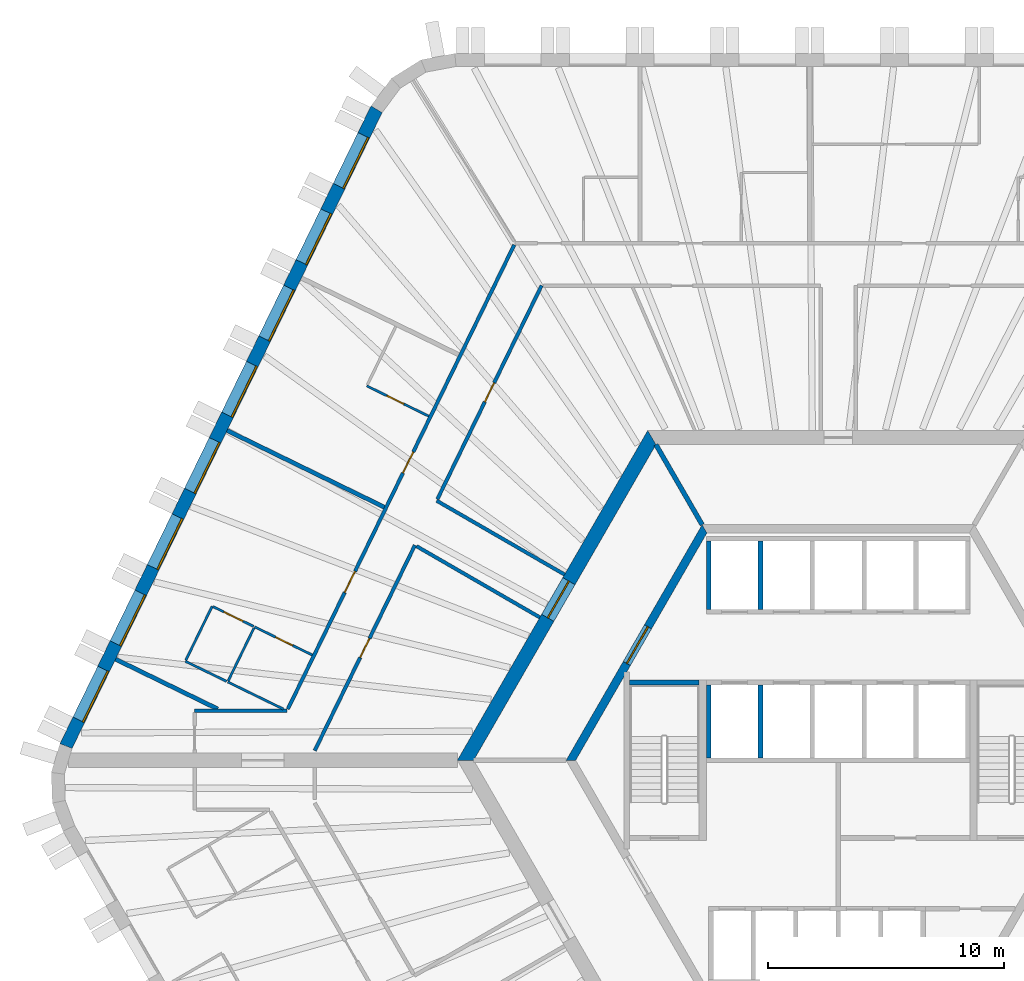
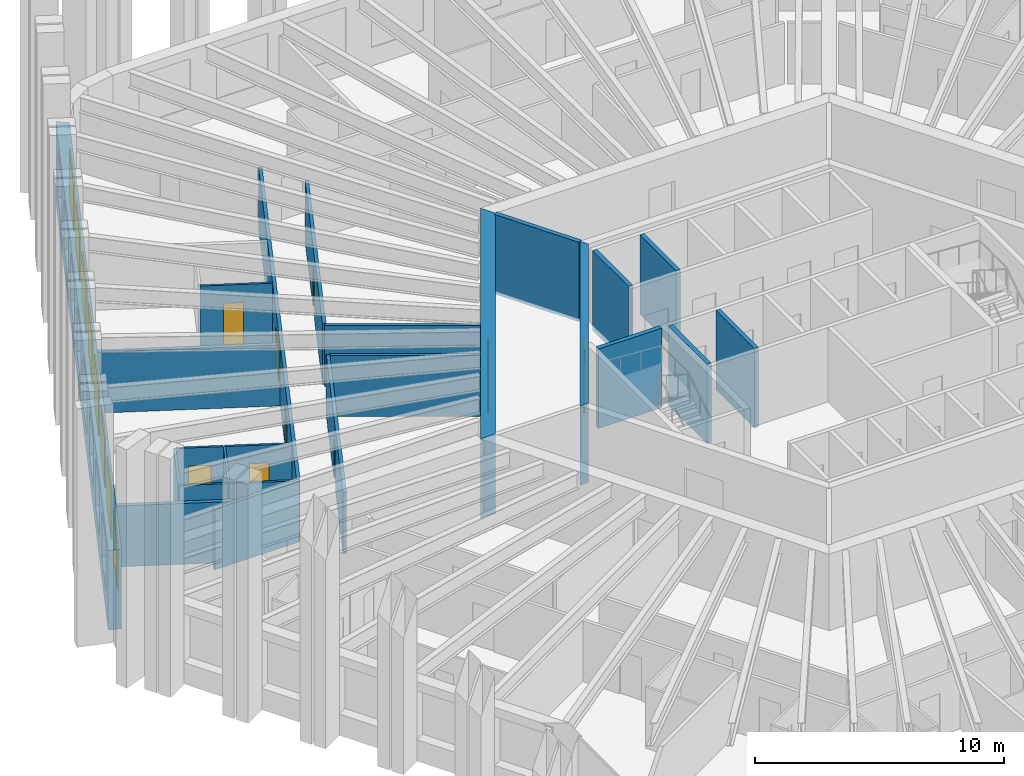
# One storey, part 7 of 13: 24 walls, 9 doors, 8 windows, 17 openings.
"""IFC4 building model written with IfcOpenShell, lengths in metres."""

from ifc_helpers import new_model, si_unit, direction, frame, frame_2d, origin, place, context, subcontext, project, spatial, polyline, rectangle, outline, extrude, material, layer, layer_set, type_object, element, fill, save


model = new_model("IFC4")

# Units and contexts
model_context = context("Model", 3, precision=1e-05, world=origin(), true_north=direction((0.0, 1.0)))
body_context = subcontext(model_context, "Body", "Model", "MODEL_VIEW")
ifc_project = project(units=[si_unit("LENGTHUNIT", "METRE"), si_unit("AREAUNIT", "SQUARE_METRE"), si_unit("VOLUMEUNIT", "CUBIC_METRE"), si_unit("PLANEANGLEUNIT", "RADIAN"), si_unit("MASSUNIT", "GRAM", prefix="KILO")], contexts=[model_context])

# Site, building, storey
site_placement = place(None, origin())
site = spatial("IfcSite", under=ifc_project, at=site_placement, CompositionType="ELEMENT")
building_placement = place(site_placement, origin())
building = spatial("IfcBuilding", under=site, at=building_placement, Name="Tarnside Tower", CompositionType="ELEMENT")
storey_placement = place(building_placement, frame((0.0, 0.0, 123.300048828125)))
storey = spatial("IfcBuildingStorey", under=building, at=storey_placement, Name="L28", CompositionType="ELEMENT", Elevation=123.300048828125)

# Wall, opening, door
ifc_material_1 = material(Name="Gypsum board partition on steel studs", Category="steel")
ifc_layer_1 = layer(ifc_material_1, 0.10009765625)
ifc_layer_set_1 = layer_set([ifc_layer_1], Name="Bathroom wall 100")
wall_type_1 = type_object("IfcWallType", Name="Bathroom wall 100", PredefinedType="PARTITIONING", material=ifc_layer_set_1)
wall_1_placement = place(storey_placement, frame((-17.380126953125, 14.6083984375, 0.0), z_axis=(0.0, 0.0, 1.0), x_axis=(-0.898790906006, 0.438377585285, 0.0)))
wall_1 = element("IfcWall", 1, at=wall_1_placement, inside=storey, type_object=wall_type_1, Name="Bathroom wall 09098", PredefinedType="PARTITIONING", context=body_context, shape_type="SweptSolid", body=[
    extrude(rectangle(XDim=2.925048828125, YDim=0.10009765625, at=frame_2d((1.46240234375, 0.0))), origin(), (0.0, 0.0, 1.0), 2.98779296875),
])
opening_1_placement = place(wall_1_placement, frame((1.175048828125, 0.0, 0.0)))
opening_1 = element("IfcOpeningElement", 2, at=opening_1_placement, cuts=wall_1, Name="Opening D-B1", PredefinedType="OPENING", context=body_context, shape_type="SweptSolid", body=[
    extrude(rectangle(XDim=0.800048828125, YDim=2.10009765625, at=frame_2d((0.39990234375, 1.050048828125))), frame((0.0, 0.06005859375, 0.0), z_axis=(0.0, -1.0, 0.0), x_axis=(1.0, 0.0, 0.0)), (0.0, 0.0, 1.0), 0.1201171875),
])
ifc_material_2 = material(Name="Timber door leaf", Category="wood")
door_type_1 = type_object("IfcDoorType", Name="Bathroom door 800", OperationType="NOTDEFINED", PredefinedType="DOOR", material=ifc_material_2)
door_1_placement = place(opening_1_placement, origin())
door_1 = element("IfcDoor", 3, at=door_1_placement, inside=storey, type_object=door_type_1, Name="Bathroom door 09010", OperationType="SINGLE_SWING_LEFT", OverallHeight=2.10009765625, OverallWidth=0.800048828125, PredefinedType="DOOR", context=body_context, shape_type="SweptSolid", body=[
    extrude(rectangle(XDim=0.800048828125, YDim=2.10009765625, at=frame_2d((0.39990234375, 1.050048828125))), frame((0.0, 0.02490234375, 0.0), z_axis=(0.0, -1.0, 0.0), x_axis=(1.0, 0.0, 0.0)), (0.0, 0.0, 1.0), 0.050048828125),
])
fill(opening_1, door_1)

# Wall
wall_2_placement = place(storey_placement, frame((-23.551025390625, 2.175048828125, 0.0), z_axis=(0.0, 0.0, 1.0), x_axis=(-0.898821988063, 0.438313853049, 0.0)))
element("IfcWall", 4, at=wall_2_placement, inside=storey, type_object=wall_type_1, Name="Bathroom wall 09101", PredefinedType="PARTITIONING", context=body_context, shape_type="SweptSolid", body=[
    extrude(rectangle(XDim=2.629150390625, YDim=0.10009765625, at=frame_2d((1.314453125, 0.0))), origin(), (0.0, 0.0, 1.0), 2.98779296875),
])

# Wall, opening, door
wall_3_placement = place(storey_placement, frame((-24.774169921875, 5.664306640625, 0.0), z_axis=(0.0, 0.0, 1.0), x_axis=(0.898791692788, -0.43837597217, 0.0)))
wall_3 = element("IfcWall", 5, at=wall_3_placement, inside=storey, type_object=wall_type_1, Name="Bathroom wall 09102", PredefinedType="PARTITIONING", context=body_context, shape_type="SweptSolid", body=[
    extrude(rectangle(XDim=2.72509765625, YDim=0.10009765625, at=frame_2d((1.362548828125, 0.0))), origin(), (0.0, 0.0, 1.0), 2.98779296875),
])
opening_2_placement = place(wall_3_placement, frame((1.0, 0.0, 0.0)))
opening_2 = element("IfcOpeningElement", 6, at=opening_2_placement, cuts=wall_3, Name="Opening D-B1", PredefinedType="OPENING", context=body_context, shape_type="SweptSolid", body=[
    extrude(rectangle(XDim=0.800048828125, YDim=2.10009765625, at=frame_2d((0.39990234375, 1.050048828125))), frame((0.0, 0.06005859375, 0.0), z_axis=(0.0, -1.0, 0.0), x_axis=(1.0, 0.0, 0.0)), (0.0, 0.0, 1.0), 0.1201171875),
])
door_2_placement = place(opening_2_placement, origin())
door_2 = element("IfcDoor", 7, at=door_2_placement, inside=storey, type_object=door_type_1, Name="Bathroom door 09012", OperationType="SINGLE_SWING_LEFT", OverallHeight=2.10009765625, OverallWidth=0.800048828125, PredefinedType="DOOR", context=body_context, shape_type="SweptSolid", body=[
    extrude(rectangle(XDim=0.800048828125, YDim=2.10009765625, at=frame_2d((0.39990234375, 1.050048828125))), frame((0.0, 0.02490234375, 0.0), z_axis=(0.0, -1.0, 0.0), x_axis=(1.0, 0.0, 0.0)), (0.0, 0.0, 1.0), 0.050048828125),
])
fill(opening_2, door_2)

# Wall
wall_4_placement = place(storey_placement, frame((-24.796142578125, 5.619384765625, 0.0), z_axis=(0.0, 0.0, 1.0), x_axis=(-0.438363988158, -0.898797537761, 0.0)))
element("IfcWall", 8, at=wall_4_placement, inside=storey, type_object=wall_type_1, Name="Bathroom wall 09107", PredefinedType="PARTITIONING", context=body_context, shape_type="SweptSolid", body=[
    extrude(rectangle(XDim=2.5, YDim=0.10009765625, at=frame_2d((1.25, 0.0))), origin(), (0.0, 0.0, 1.0), 2.98779296875),
])

# Wall, opening, door
ifc_material_3 = material(Name="Concrete C50/60", Category="concrete")
ifc_layer_2 = layer(ifc_material_3, 0.35009765625)
ifc_layer_set_2 = layer_set([ifc_layer_2], Name="Core block wall 350 C50/60")
wall_type_2 = type_object("IfcWallType", Name="Core block wall 350 C50/60", PredefinedType="SHEAR", material=ifc_layer_set_2)
wall_5_placement = place(storey_placement, frame((-5.672607421875, 9.824951171875, -0.150146484375), z_axis=(0.0, 0.0, 1.0), x_axis=(-0.499995046907, -0.866028263435, 0.0)))
wall_5 = element("IfcWall", 9, at=wall_5_placement, inside=storey, type_object=wall_type_2, Name="L28 core block wall face 2", PredefinedType="SHEAR", context=body_context, shape_type="SweptSolid", body=[
    extrude(outline(polyline([(-0.10107421875, -0.175048828125), (11.44580078125, -0.175048828125), (11.24365234375, 0.175048828125), (0.10107421875, 0.175048828125), (-0.10107421875, -0.175048828125)])), origin(), (0.0, 0.0, 1.0), 3.900146484375),
])
opening_3_placement = place(wall_5_placement, frame((4.80126953125, 0.0, 0.14990234375)))
opening_3 = element("IfcOpeningElement", 10, at=opening_3_placement, cuts=wall_5, Name="Opening CD-LOB", PredefinedType="OPENING", context=body_context, shape_type="SweptSolid", body=[
    extrude(rectangle(XDim=1.800048828125, YDim=2.39990234375, at=frame_2d((0.89990234375, 1.199951171875))), frame((0.0, 0.18505859375, 0.0), z_axis=(0.0, -1.0, 0.0), x_axis=(1.0, 0.0, 0.0)), (0.0, 0.0, 1.0), 0.3701171875),
])
ifc_material_4 = material(Name="Steel fire door", Category="steel")
door_type_2 = type_object("IfcDoorType", Name="Lobby double door FD30S 1800x2400", OperationType="NOTDEFINED", PredefinedType="DOOR", material=ifc_material_4)
door_3_placement = place(opening_3_placement, origin())
door_3 = element("IfcDoor", 11, at=door_3_placement, inside=storey, type_object=door_type_2, Name="L28 lobby block door P1", OperationType="DOUBLE_DOOR_SINGLE_SWING", OverallHeight=2.39990234375, OverallWidth=1.800048828125, PredefinedType="DOOR", context=body_context, shape_type="SweptSolid", body=[
    extrude(rectangle(XDim=1.800048828125, YDim=2.39990234375, at=frame_2d((0.89990234375, 1.199951171875))), frame((0.0, 0.02490234375, 0.0), z_axis=(0.0, -1.0, 0.0), x_axis=(1.0, 0.0, 0.0)), (0.0, 0.0, 1.0), 0.050048828125),
])
fill(opening_3, door_3)

ifc_material_5 = material(Name="Concrete C80/95", Category="concrete")
ifc_layer_3 = layer(ifc_material_5, 0.60009765625)
ifc_layer_set_3 = layer_set([ifc_layer_3], Name="Core wall Z1 600 C80/95")
wall_type_3 = type_object("IfcWallType", Name="Core wall Z1 600 C80/95", PredefinedType="SHEAR", material=ifc_layer_set_3)
wall_6_placement = place(storey_placement, frame((-7.90966796875, 13.699951171875, -0.150146484375), z_axis=(0.0, 0.0, 1.0), x_axis=(-0.499999880136, -0.866025472988, 0.0)))
wall_6 = element("IfcWall", 12, at=wall_6_placement, inside=storey, type_object=wall_type_3, Name="L28 core wall face 2", PredefinedType="SHEAR", context=body_context, shape_type="SweptSolid", body=[
    extrude(outline(polyline([(-0.17333984375, -0.300048828125), (15.99267578125, -0.300048828125), (15.64599609375, 0.300048828125), (0.17333984375, 0.300048828125), (-0.17333984375, -0.300048828125)])), origin(), (0.0, 0.0, 1.0), 3.900146484375),
])
opening_4_placement = place(wall_6_placement, frame((7.03857421875, 0.0, 0.14990234375)))
opening_4 = element("IfcOpeningElement", 13, at=opening_4_placement, cuts=wall_6, Name="Opening CD-LOB", PredefinedType="OPENING", context=body_context, shape_type="SweptSolid", body=[
    extrude(rectangle(XDim=1.800048828125, YDim=2.39990234375, at=frame_2d((0.89990234375, 1.199951171875))), frame((0.0, 0.31005859375, 0.0), z_axis=(0.0, -1.0, 0.0), x_axis=(1.0, 0.0, 0.0)), (0.0, 0.0, 1.0), 0.6201171875),
])
door_4_placement = place(opening_4_placement, origin())
door_4 = element("IfcDoor", 14, at=door_4_placement, inside=storey, type_object=door_type_2, Name="L28 core door P1", OperationType="DOUBLE_DOOR_SINGLE_SWING", OverallHeight=2.39990234375, OverallWidth=1.800048828125, PredefinedType="DOOR", context=body_context, shape_type="SweptSolid", body=[
    extrude(rectangle(XDim=1.800048828125, YDim=2.39990234375, at=frame_2d((0.89990234375, 1.199951171875))), frame((0.0, 0.02490234375, 0.0), z_axis=(0.0, -1.0, 0.0), x_axis=(1.0, 0.0, 0.0)), (0.0, 0.0, 1.0), 0.050048828125),
])
fill(opening_4, door_4)

# Wall, openings, doors
ifc_layer_4 = layer(ifc_material_1, 0.14990234375)
ifc_layer_set_4 = layer_set([ifc_layer_4], Name="Corridor wall 150 EI 60")
wall_type_4 = type_object("IfcWallType", Name="Corridor wall 150 EI 60", PredefinedType="PARTITIONING", material=ifc_layer_set_4)
wall_7_placement = place(storey_placement, frame((-13.75244140625, 21.875, 0.0), z_axis=(0.0, 0.0, 1.0), x_axis=(-0.438374473378, -0.898792423806, 0.0)))
wall_7 = element("IfcWall", 15, at=wall_7_placement, inside=storey, type_object=wall_type_4, Name="Corridor wall 09009", PredefinedType="PARTITIONING", context=body_context, shape_type="SweptSolid", body=[
    extrude(rectangle(XDim=21.918212890625, YDim=0.14990234375, at=frame_2d((10.958984375, 0.0))), origin(), (0.0, 0.0, 1.0), 2.98779296875),
])
opening_5_placement = place(wall_7_placement, frame((9.771240234375, 0.0, 0.0)))
opening_5 = element("IfcOpeningElement", 16, at=opening_5_placement, cuts=wall_7, Name="Opening D-E1", PredefinedType="OPENING", context=body_context, shape_type="SweptSolid", body=[
    extrude(rectangle(XDim=1.0, YDim=2.10009765625, at=frame_2d((0.5, 1.050048828125))), frame((0.0, 0.0849609375, 0.0), z_axis=(0.0, -1.0, 0.0), x_axis=(1.0, 0.0, 0.0)), (0.0, 0.0, 1.0), 0.169921875),
])
opening_6_placement = place(wall_7_placement, frame((15.41162109375, 0.0, 0.0)))
opening_6 = element("IfcOpeningElement", 17, at=opening_6_placement, cuts=wall_7, Name="Opening D-E1", PredefinedType="OPENING", context=body_context, shape_type="SweptSolid", body=[
    extrude(rectangle(XDim=1.0, YDim=2.10009765625, at=frame_2d((0.5, 1.050048828125))), frame((0.0, 0.0849609375, 0.0), z_axis=(0.0, -1.0, 0.0), x_axis=(1.0, 0.0, 0.0)), (0.0, 0.0, 1.0), 0.169921875),
])
door_type_3 = type_object("IfcDoorType", Name="Unit entrance door 1000 FD30S", OperationType="NOTDEFINED", PredefinedType="DOOR", material=ifc_material_2)
door_5_placement = place(opening_5_placement, origin())
door_5 = element("IfcDoor", 18, at=door_5_placement, inside=storey, type_object=door_type_3, Name="Unit door 09009", OperationType="SINGLE_SWING_RIGHT", OverallHeight=2.10009765625, OverallWidth=1.0, PredefinedType="DOOR", context=body_context, shape_type="SweptSolid", body=[
    extrude(rectangle(XDim=1.0, YDim=2.10009765625, at=frame_2d((0.5, 1.050048828125))), frame((0.0, 0.02490234375, 0.0), z_axis=(0.0, -1.0, 0.0), x_axis=(1.0, 0.0, 0.0)), (0.0, 0.0, 1.0), 0.050048828125),
])
fill(opening_5, door_5)
door_6_placement = place(opening_6_placement, origin())
door_6 = element("IfcDoor", 19, at=door_6_placement, inside=storey, type_object=door_type_3, Name="Unit door 09011", OperationType="SINGLE_SWING_LEFT", OverallHeight=2.10009765625, OverallWidth=1.0, PredefinedType="DOOR", context=body_context, shape_type="SweptSolid", body=[
    extrude(rectangle(XDim=1.0, YDim=2.10009765625, at=frame_2d((0.5, 1.050048828125))), frame((0.0, 0.02490234375, 0.0), z_axis=(0.0, -1.0, 0.0), x_axis=(1.0, 0.0, 0.0)), (0.0, 0.0, 1.0), 0.050048828125),
])
fill(opening_6, door_6)

# Walls
wall_8_placement = place(storey_placement, frame((-23.3974609375, 2.10009765625, 0.0), z_axis=(0.0, 0.0, 1.0), x_axis=(-1.0, 0.0, 0.0)))
element("IfcWall", 20, at=wall_8_placement, inside=storey, type_object=wall_type_4, Name="Corridor wall 09012", PredefinedType="PARTITIONING", context=body_context, shape_type="SweptSolid", body=[
    extrude(rectangle(XDim=3.9228515625, YDim=0.14990234375, at=frame_2d((1.96142578125, 0.0))), origin(), (0.0, 0.0, 1.0), 2.98779296875),
])
wall_9_placement = place(storey_placement, frame((-11.61376953125, 7.88427734375, 0.0), z_axis=(0.0, 0.0, 1.0), x_axis=(-0.866025438137, 0.4999999405, 0.0)))
element("IfcWall", 21, at=wall_9_placement, inside=storey, type_object=wall_type_4, Name="Corridor wall 09019", PredefinedType="PARTITIONING", context=body_context, shape_type="SweptSolid", body=[
    extrude(rectangle(XDim=6.2705078125, YDim=0.14990234375, at=frame_2d((3.13525390625, 0.0))), origin(), (0.0, 0.0, 1.0), 2.98779296875),
])

# Wall, opening, door
wall_10_placement = place(storey_placement, frame((-17.01123046875, 11.087158203125, 0.0), z_axis=(0.0, 0.0, 1.0), x_axis=(0.43836877185, 0.898795204631, 0.0)))
wall_10 = element("IfcWall", 22, at=wall_10_placement, inside=storey, type_object=wall_type_4, Name="Corridor wall 09020", PredefinedType="PARTITIONING", context=body_context, shape_type="SweptSolid", body=[
    extrude(rectangle(XDim=10.083251953125, YDim=0.14990234375, at=frame_2d((5.04150390625, 0.0))), origin(), (0.0, 0.0, 1.0), 2.98779296875),
])
opening_7_placement = place(wall_10_placement, frame((4.591552734375, 0.0, 0.0)))
opening_7 = element("IfcOpeningElement", 23, at=opening_7_placement, cuts=wall_10, Name="Opening D-S1", PredefinedType="OPENING", context=body_context, shape_type="SweptSolid", body=[
    extrude(rectangle(XDim=0.89990234375, YDim=2.10009765625, at=frame_2d((0.449951171875, 1.050048828125))), frame((0.0, 0.0849609375, 0.0), z_axis=(0.0, -1.0, 0.0), x_axis=(1.0, 0.0, 0.0)), (0.0, 0.0, 1.0), 0.169921875),
])
door_type_4 = type_object("IfcDoorType", Name="Service room door 900 FD30S", OperationType="NOTDEFINED", PredefinedType="DOOR", material=ifc_material_2)
door_7_placement = place(opening_7_placement, origin())
door_7 = element("IfcDoor", 24, at=door_7_placement, inside=storey, type_object=door_type_4, Name="Service door 09046", OperationType="SINGLE_SWING_LEFT", OverallHeight=2.10009765625, OverallWidth=0.89990234375, PredefinedType="DOOR", context=body_context, shape_type="SweptSolid", body=[
    extrude(rectangle(XDim=0.89990234375, YDim=2.10009765625, at=frame_2d((0.449951171875, 1.050048828125))), frame((0.0, 0.02490234375, 0.0), z_axis=(0.0, -1.0, 0.0), x_axis=(1.0, 0.0, 0.0)), (0.0, 0.0, 1.0), 0.050048828125),
])
fill(opening_7, door_7)

wall_11_placement = place(storey_placement, frame((-22.218994140625, 0.41015625, 0.0), z_axis=(0.0, 0.0, 1.0), x_axis=(0.438391891827, 0.898783927972, 0.0)))
wall_11 = element("IfcWall", 25, at=wall_11_placement, inside=storey, type_object=wall_type_4, Name="Corridor wall 09025", PredefinedType="PARTITIONING", context=body_context, shape_type="SweptSolid", body=[
    extrude(rectangle(XDim=9.698974609375, YDim=0.14990234375, at=frame_2d((4.849609375, 0.0))), origin(), (0.0, 0.0, 1.0), 2.98779296875),
])
opening_8_placement = place(wall_11_placement, frame((4.399658203125, 0.0, 0.0)))
opening_8 = element("IfcOpeningElement", 26, at=opening_8_placement, cuts=wall_11, Name="Opening D-S1", PredefinedType="OPENING", context=body_context, shape_type="SweptSolid", body=[
    extrude(rectangle(XDim=0.89990234375, YDim=2.10009765625, at=frame_2d((0.449951171875, 1.050048828125))), frame((0.0, 0.0849609375, 0.0), z_axis=(0.0, -1.0, 0.0), x_axis=(1.0, 0.0, 0.0)), (0.0, 0.0, 1.0), 0.169921875),
])
door_8_placement = place(opening_8_placement, origin())
door_8 = element("IfcDoor", 27, at=door_8_placement, inside=storey, type_object=door_type_4, Name="Service door 09048", OperationType="SINGLE_SWING_LEFT", OverallHeight=2.10009765625, OverallWidth=0.89990234375, PredefinedType="DOOR", context=body_context, shape_type="SweptSolid", body=[
    extrude(rectangle(XDim=0.89990234375, YDim=2.10009765625, at=frame_2d((0.449951171875, 1.050048828125))), frame((0.0, 0.02490234375, 0.0), z_axis=(0.0, -1.0, 0.0), x_axis=(1.0, 0.0, 0.0)), (0.0, 0.0, 1.0), 0.050048828125),
])
fill(opening_8, door_8)

# Walls
wall_12_placement = place(storey_placement, frame((-17.902099609375, 9.08984375, 0.0), z_axis=(0.0, 0.0, 1.0), x_axis=(0.866036368755, -0.499981007633, 0.0)))
element("IfcWall", 28, at=wall_12_placement, inside=storey, type_object=wall_type_4, Name="Corridor wall 09026", PredefinedType="PARTITIONING", context=body_context, shape_type="SweptSolid", body=[
    extrude(rectangle(XDim=6.048583984375, YDim=0.14990234375, at=frame_2d((3.0244140625, 0.0))), origin(), (0.0, 0.0, 1.0), 2.98779296875),
])
ifc_layer_5 = layer(ifc_material_1, 0.179931640625)
ifc_layer_set_5 = layer_set([ifc_layer_5], Name="Demising wall 180 EI 60")
wall_type_5 = type_object("IfcWallType", Name="Demising wall 180 EI 60", PredefinedType="PARTITIONING", material=ifc_layer_set_5)
wall_13_placement = place(storey_placement, frame((-25.9384765625, 13.99853515625, 0.0), z_axis=(0.0, 0.0, 1.0), x_axis=(0.898789933843, -0.438379578473, 0.0)))
element("IfcWall", 29, at=wall_13_placement, inside=storey, type_object=wall_type_5, Name="Demising wall 09100", PredefinedType="PARTITIONING", context=body_context, shape_type="SweptSolid", body=[
    extrude(rectangle(XDim=7.4248046875, YDim=0.179931640625, at=frame_2d((3.71240234375, 0.0))), origin(), (0.0, 0.0, 1.0), 2.98779296875),
])
wall_14_placement = place(storey_placement, frame((-30.673095703125, 4.29150390625, 0.0), z_axis=(0.0, 0.0, 1.0), x_axis=(0.898812662672, -0.438332975512, 0.0)))
element("IfcWall", 30, at=wall_14_placement, inside=storey, type_object=wall_type_5, Name="Demising wall 09106", PredefinedType="PARTITIONING", context=body_context, shape_type="SweptSolid", body=[
    extrude(rectangle(XDim=4.828369140625, YDim=0.179931640625, at=frame_2d((2.4140625, 0.0))), origin(), (0.0, 0.0, 1.0), 2.98779296875),
])
ifc_material_6 = material(Name="Concrete C40/50", Category="concrete")
ifc_layer_6 = layer(ifc_material_6, 0.199951171875)
ifc_layer_set_6 = layer_set([ifc_layer_6], Name="Lift shaft wall 200 C40/50")
wall_type_6 = type_object("IfcWallType", Name="Lift shaft wall 200 C40/50", PredefinedType="SHEAR", material=ifc_layer_set_6)
for number, where, z_axis, x_axis, name in (
    (31, (-5.5, 6.39990234375, -0.25), (0.0, 0.0, 1.0), (0.0, 1.0, 0.0), "L28 lift shaft partition R11"),
    (32, (-3.300048828125, 6.39990234375, -0.25), (0.0, 0.0, 1.0), (0.0, 1.0, 0.0), "L28 lift shaft partition R12"),
):
    element("IfcWall", number, at=place(storey_placement, frame(where, z_axis=z_axis, x_axis=x_axis)), inside=storey, type_object=wall_type_6, Name=name, PredefinedType="SHEAR", context=body_context, shape_type="SweptSolid", body=[
        extrude(rectangle(XDim=2.900146484375, YDim=0.199951171875, at=frame_2d((1.4501953125, 0.0))), origin(), (0.0, 0.0, 1.0), 3.89990234375),
    ])
for number, where, z_axis, x_axis, name in (
    (33, (-5.5, 0.10009765625, -0.25), (0.0, 0.0, 1.0), (0.0, 1.0, 0.0), "L28 lift shaft partition R21"),
    (34, (-3.300048828125, 0.10009765625, -0.25), (0.0, 0.0, 1.0), (0.0, 1.0, 0.0), "L28 lift shaft partition R22"),
):
    element("IfcWall", number, at=place(storey_placement, frame(where, z_axis=z_axis, x_axis=x_axis)), inside=storey, type_object=wall_type_6, Name=name, PredefinedType="SHEAR", context=body_context, shape_type="SweptSolid", body=[
        extrude(rectangle(XDim=3.099853515625, YDim=0.199951171875, at=frame_2d((1.5498046875, 0.0))), origin(), (0.0, 0.0, 1.0), 3.89990234375),
    ])
wall_15_placement = place(storey_placement, frame((-5.7734375, 10.0, -0.150146484375), z_axis=(0.0, 0.0, 1.0), x_axis=(-0.500038251005, 0.86600331843, 0.0)))
element("IfcWall", 35, at=wall_15_placement, inside=storey, type_object=wall_type_6, Name="L28 core partition AR120", PredefinedType="SHEAR", context=body_context, shape_type="SweptSolid", body=[
    extrude(rectangle(XDim=3.926025390625, YDim=0.199951171875, at=frame_2d((1.962890625, 0.0))), origin(), (0.0, 0.0, 1.0), 3.900146484375),
])
wall_16_placement = place(storey_placement, frame((-8.85009765625, 3.300048828125, -0.25), z_axis=(0.0, 0.0, 1.0), x_axis=(1.0, 0.0, 0.0)))
element("IfcWall", 36, at=wall_16_placement, inside=storey, type_object=wall_type_6, Name="L28 stair 2 enclosure cap wall n", PredefinedType="SHEAR", context=body_context, shape_type="SweptSolid", body=[
    extrude(rectangle(XDim=2.9501953125, YDim=0.199951171875, at=frame_2d((1.47509765625, 0.0))), origin(), (0.0, 0.0, 1.0), 3.89990234375),
])
ifc_layer_7 = layer(ifc_material_1, 0.10009765625)
ifc_layer_set_7 = layer_set([ifc_layer_7], Name="Partition 100")
wall_type_7 = type_object("IfcWallType", Name="Partition 100", PredefinedType="PARTITIONING", material=ifc_layer_set_7)
wall_17_placement = place(storey_placement, frame((-25.958984375, 3.349365234375, 0.0), z_axis=(0.0, 0.0, 1.0), x_axis=(-0.898815368173, 0.438327427772, 0.0)))
element("IfcWall", 37, at=wall_17_placement, inside=storey, type_object=wall_type_7, Name="Partition wall 09103", PredefinedType="PARTITIONING", context=body_context, shape_type="SweptSolid", body=[
    extrude(rectangle(XDim=1.949951171875, YDim=0.10009765625, at=frame_2d((0.97509765625, 0.0))), origin(), (0.0, 0.0, 1.0), 2.98779296875),
])
wall_18_placement = place(storey_placement, frame((-27.689697265625, 4.2490234375, 0.0), z_axis=(0.0, 0.0, 1.0), x_axis=(0.438384020656, 0.898787767181, 0.0)))
element("IfcWall", 38, at=wall_18_placement, inside=storey, type_object=wall_type_7, Name="Partition wall 09104", PredefinedType="PARTITIONING", context=body_context, shape_type="SweptSolid", body=[
    extrude(rectangle(XDim=2.550048828125, YDim=0.10009765625, at=frame_2d((1.27490234375, 0.0))), origin(), (0.0, 0.0, 1.0), 2.98779296875),
])

# Wall, opening, door
wall_19_placement = place(storey_placement, frame((-26.52685546875, 6.51904296875, 0.0), z_axis=(0.0, 0.0, 1.0), x_axis=(0.898828949337, -0.438299577725, 0.0)))
wall_19 = element("IfcWall", 39, at=wall_19_placement, inside=storey, type_object=wall_type_7, Name="Partition wall 09105", PredefinedType="PARTITIONING", context=body_context, shape_type="SweptSolid", body=[
    extrude(rectangle(XDim=1.89990234375, YDim=0.10009765625, at=frame_2d((0.949951171875, 0.0))), origin(), (0.0, 0.0, 1.0), 2.98779296875),
])
opening_9_placement = place(wall_19_placement, frame((0.5, 0.0, 0.0)))
opening_9 = element("IfcOpeningElement", 40, at=opening_9_placement, cuts=wall_19, Name="Opening D-I1", PredefinedType="OPENING", context=body_context, shape_type="SweptSolid", body=[
    extrude(rectangle(XDim=0.89990234375, YDim=2.10009765625, at=frame_2d((0.449951171875, 1.050048828125))), frame((0.0, 0.06005859375, 0.0), z_axis=(0.0, -1.0, 0.0), x_axis=(1.0, 0.0, 0.0)), (0.0, 0.0, 1.0), 0.1201171875),
])
door_type_5 = type_object("IfcDoorType", Name="Internal door 900", OperationType="NOTDEFINED", PredefinedType="DOOR", material=ifc_material_2)
door_9_placement = place(opening_9_placement, origin())
door_9 = element("IfcDoor", 41, at=door_9_placement, inside=storey, type_object=door_type_5, Name="Internal door 09013", OperationType="SINGLE_SWING_RIGHT", OverallHeight=2.10009765625, OverallWidth=0.89990234375, PredefinedType="DOOR", context=body_context, shape_type="SweptSolid", body=[
    extrude(rectangle(XDim=0.89990234375, YDim=2.10009765625, at=frame_2d((0.449951171875, 1.050048828125))), frame((0.0, 0.02490234375, 0.0), z_axis=(0.0, -1.0, 0.0), x_axis=(1.0, 0.0, 0.0)), (0.0, 0.0, 1.0), 0.050048828125),
])
fill(opening_9, door_9)

# Wall, openings, windows
ifc_material_7 = material(Name="Facing brick", Category="masonry")
ifc_layer_8 = layer(ifc_material_7, 0.10205078125)
ifc_material_8 = material(Name="Concrete C60/75 precast", Category="concrete")
ifc_layer_9 = layer(ifc_material_8, 0.347900390625)
ifc_material_9 = material(Name="Mineral wool insulation")
ifc_layer_10 = layer(ifc_material_9, 0.10009765625)
ifc_layer_set_8 = layer_set([ifc_layer_8, ifc_layer_9, ifc_layer_10], Name="Tube wall 550 brick faced")
wall_type_8 = type_object("IfcWallType", Name="Tube wall 550 brick faced", PredefinedType="SOLIDWALL", material=ifc_layer_set_8)
wall_20_placement = place(storey_placement, frame((-19.5947265625, 27.6328125, -0.150146484375), z_axis=(0.0, 0.0, 1.0), x_axis=(-0.438368285794, -0.898795441694, 0.0)))
wall_20 = element("IfcWall", 42, at=wall_20_placement, inside=storey, type_object=wall_type_8, Name="Tube wall L28 F2 flush 04", PredefinedType="SOLIDWALL", context=body_context, shape_type="SweptSolid", body=[
    extrude(outline(polyline([(-0.025634765625, -0.27490234375), (30.09326171875, -0.27490234375), (30.04833984375, 0.27490234375), (0.025634765625, 0.27490234375), (-0.025634765625, -0.27490234375)])), origin(), (0.0, 0.0, 1.0), 3.900146484375),
])
opening_10_placement = place(wall_20_placement, frame((1.235595703125, 0.0, 1.050048828125)))
opening_10 = element("IfcOpeningElement", 43, at=opening_10_placement, cuts=wall_20, Name="Opening WH", PredefinedType="OPENING", context=body_context, shape_type="SweptSolid", body=[
    extrude(rectangle(XDim=2.39990234375, YDim=2.39990234375, at=frame_2d((1.199951171875, 1.199951171875))), frame((0.0, 0.28515625, 0.0), z_axis=(0.0, -1.0, 0.0), x_axis=(1.0, 0.0, 0.0)), (0.0, 0.0, 1.0), 0.570068359375),
])
opening_11_placement = place(wall_20_placement, frame((4.83544921875, 0.0, 1.050048828125)))
opening_11 = element("IfcOpeningElement", 44, at=opening_11_placement, cuts=wall_20, Name="Opening WH", PredefinedType="OPENING", context=body_context, shape_type="SweptSolid", body=[
    extrude(rectangle(XDim=2.39990234375, YDim=2.39990234375, at=frame_2d((1.199951171875, 1.199951171875))), frame((0.0, 0.28515625, 0.0), z_axis=(0.0, -1.0, 0.0), x_axis=(1.0, 0.0, 0.0)), (0.0, 0.0, 1.0), 0.570068359375),
])
opening_12_placement = place(wall_20_placement, frame((8.435546875, 0.0, 1.050048828125)))
opening_12 = element("IfcOpeningElement", 45, at=opening_12_placement, cuts=wall_20, Name="Opening WH", PredefinedType="OPENING", context=body_context, shape_type="SweptSolid", body=[
    extrude(rectangle(XDim=2.39990234375, YDim=2.39990234375, at=frame_2d((1.199951171875, 1.199951171875))), frame((0.0, 0.28515625, 0.0), z_axis=(0.0, -1.0, 0.0), x_axis=(1.0, 0.0, 0.0)), (0.0, 0.0, 1.0), 0.570068359375),
])
opening_13_placement = place(wall_20_placement, frame((12.035400390625, 0.0, 1.050048828125)))
opening_13 = element("IfcOpeningElement", 46, at=opening_13_placement, cuts=wall_20, Name="Opening WH", PredefinedType="OPENING", context=body_context, shape_type="SweptSolid", body=[
    extrude(rectangle(XDim=2.39990234375, YDim=2.39990234375, at=frame_2d((1.199951171875, 1.199951171875))), frame((0.0, 0.28515625, 0.0), z_axis=(0.0, -1.0, 0.0), x_axis=(1.0, 0.0, 0.0)), (0.0, 0.0, 1.0), 0.570068359375),
])
opening_14_placement = place(wall_20_placement, frame((15.635498046875, 0.0, 1.050048828125)))
opening_14 = element("IfcOpeningElement", 47, at=opening_14_placement, cuts=wall_20, Name="Opening WH", PredefinedType="OPENING", context=body_context, shape_type="SweptSolid", body=[
    extrude(rectangle(XDim=2.39990234375, YDim=2.39990234375, at=frame_2d((1.199951171875, 1.199951171875))), frame((0.0, 0.28515625, 0.0), z_axis=(0.0, -1.0, 0.0), x_axis=(1.0, 0.0, 0.0)), (0.0, 0.0, 1.0), 0.570068359375),
])
opening_15_placement = place(wall_20_placement, frame((19.235595703125, 0.0, 1.050048828125)))
opening_15 = element("IfcOpeningElement", 48, at=opening_15_placement, cuts=wall_20, Name="Opening WH", PredefinedType="OPENING", context=body_context, shape_type="SweptSolid", body=[
    extrude(rectangle(XDim=2.39990234375, YDim=2.39990234375, at=frame_2d((1.199951171875, 1.199951171875))), frame((0.0, 0.28515625, 0.0), z_axis=(0.0, -1.0, 0.0), x_axis=(1.0, 0.0, 0.0)), (0.0, 0.0, 1.0), 0.570068359375),
])
opening_16_placement = place(wall_20_placement, frame((22.83544921875, 0.0, 1.050048828125)))
opening_16 = element("IfcOpeningElement", 49, at=opening_16_placement, cuts=wall_20, Name="Opening WH", PredefinedType="OPENING", context=body_context, shape_type="SweptSolid", body=[
    extrude(rectangle(XDim=2.39990234375, YDim=2.39990234375, at=frame_2d((1.199951171875, 1.199951171875))), frame((0.0, 0.28515625, 0.0), z_axis=(0.0, -1.0, 0.0), x_axis=(1.0, 0.0, 0.0)), (0.0, 0.0, 1.0), 0.570068359375),
])
opening_17_placement = place(wall_20_placement, frame((26.435546875, 0.0, 1.050048828125)))
opening_17 = element("IfcOpeningElement", 50, at=opening_17_placement, cuts=wall_20, Name="Opening WH", PredefinedType="OPENING", context=body_context, shape_type="SweptSolid", body=[
    extrude(rectangle(XDim=2.39990234375, YDim=2.39990234375, at=frame_2d((1.199951171875, 1.199951171875))), frame((0.0, 0.28515625, 0.0), z_axis=(0.0, -1.0, 0.0), x_axis=(1.0, 0.0, 0.0)), (0.0, 0.0, 1.0), 0.570068359375),
])
ifc_material_10 = material(Name="Aluminium-framed double glazing", Category="aluminium")
window_type = type_object("IfcWindowType", Name="Hotel window 2400 x 2400", PartitioningType="DOUBLE_PANEL_VERTICAL", PredefinedType="WINDOW", material=ifc_material_10)
window_1_placement = place(opening_10_placement, frame((0.0, 0.205078125, 0.0)))
window_1 = element("IfcWindow", 51, at=window_1_placement, inside=storey, type_object=window_type, Name="E.WN.L28.F2.00", OverallHeight=2.39990234375, OverallWidth=2.39990234375, PartitioningType="DOUBLE_PANEL_VERTICAL", PredefinedType="WINDOW", context=body_context, shape_type="SweptSolid", body=[
    extrude(rectangle(XDim=2.39990234375, YDim=2.39990234375, at=frame_2d((1.199951171875, 1.199951171875))), frame((0.0, 0.030029296875, 0.0), z_axis=(0.0, -1.0, 0.0), x_axis=(1.0, 0.0, 0.0)), (0.0, 0.0, 1.0), 0.06005859375),
])
fill(opening_10, window_1)
window_2_placement = place(opening_11_placement, frame((0.0, 0.205078125, 0.0)))
window_2 = element("IfcWindow", 52, at=window_2_placement, inside=storey, type_object=window_type, Name="E.WN.L28.F2.01", OverallHeight=2.39990234375, OverallWidth=2.39990234375, PartitioningType="DOUBLE_PANEL_VERTICAL", PredefinedType="WINDOW", context=body_context, shape_type="SweptSolid", body=[
    extrude(rectangle(XDim=2.39990234375, YDim=2.39990234375, at=frame_2d((1.199951171875, 1.199951171875))), frame((0.0, 0.030029296875, 0.0), z_axis=(0.0, -1.0, 0.0), x_axis=(1.0, 0.0, 0.0)), (0.0, 0.0, 1.0), 0.06005859375),
])
fill(opening_11, window_2)
window_3_placement = place(opening_12_placement, frame((0.0, 0.205078125, 0.0)))
window_3 = element("IfcWindow", 53, at=window_3_placement, inside=storey, type_object=window_type, Name="E.WN.L28.F2.02", OverallHeight=2.39990234375, OverallWidth=2.39990234375, PartitioningType="DOUBLE_PANEL_VERTICAL", PredefinedType="WINDOW", context=body_context, shape_type="SweptSolid", body=[
    extrude(rectangle(XDim=2.39990234375, YDim=2.39990234375, at=frame_2d((1.199951171875, 1.199951171875))), frame((0.0, 0.030029296875, 0.0), z_axis=(0.0, -1.0, 0.0), x_axis=(1.0, 0.0, 0.0)), (0.0, 0.0, 1.0), 0.06005859375),
])
fill(opening_12, window_3)
window_4_placement = place(opening_13_placement, frame((0.0, 0.205078125, 0.0)))
window_4 = element("IfcWindow", 54, at=window_4_placement, inside=storey, type_object=window_type, Name="E.WN.L28.F2.03", OverallHeight=2.39990234375, OverallWidth=2.39990234375, PartitioningType="DOUBLE_PANEL_VERTICAL", PredefinedType="WINDOW", context=body_context, shape_type="SweptSolid", body=[
    extrude(rectangle(XDim=2.39990234375, YDim=2.39990234375, at=frame_2d((1.199951171875, 1.199951171875))), frame((0.0, 0.030029296875, 0.0), z_axis=(0.0, -1.0, 0.0), x_axis=(1.0, 0.0, 0.0)), (0.0, 0.0, 1.0), 0.06005859375),
])
fill(opening_13, window_4)
window_5_placement = place(opening_14_placement, frame((0.0, 0.205078125, 0.0)))
window_5 = element("IfcWindow", 55, at=window_5_placement, inside=storey, type_object=window_type, Name="E.WN.L28.F2.04", OverallHeight=2.39990234375, OverallWidth=2.39990234375, PartitioningType="DOUBLE_PANEL_VERTICAL", PredefinedType="WINDOW", context=body_context, shape_type="SweptSolid", body=[
    extrude(rectangle(XDim=2.39990234375, YDim=2.39990234375, at=frame_2d((1.199951171875, 1.199951171875))), frame((0.0, 0.030029296875, 0.0), z_axis=(0.0, -1.0, 0.0), x_axis=(1.0, 0.0, 0.0)), (0.0, 0.0, 1.0), 0.06005859375),
])
fill(opening_14, window_5)
window_6_placement = place(opening_15_placement, frame((0.0, 0.205078125, 0.0)))
window_6 = element("IfcWindow", 56, at=window_6_placement, inside=storey, type_object=window_type, Name="E.WN.L28.F2.05", OverallHeight=2.39990234375, OverallWidth=2.39990234375, PartitioningType="DOUBLE_PANEL_VERTICAL", PredefinedType="WINDOW", context=body_context, shape_type="SweptSolid", body=[
    extrude(rectangle(XDim=2.39990234375, YDim=2.39990234375, at=frame_2d((1.199951171875, 1.199951171875))), frame((0.0, 0.030029296875, 0.0), z_axis=(0.0, -1.0, 0.0), x_axis=(1.0, 0.0, 0.0)), (0.0, 0.0, 1.0), 0.06005859375),
])
fill(opening_15, window_6)
window_7_placement = place(opening_16_placement, frame((0.0, 0.205078125, 0.0)))
window_7 = element("IfcWindow", 57, at=window_7_placement, inside=storey, type_object=window_type, Name="E.WN.L28.F2.06", OverallHeight=2.39990234375, OverallWidth=2.39990234375, PartitioningType="DOUBLE_PANEL_VERTICAL", PredefinedType="WINDOW", context=body_context, shape_type="SweptSolid", body=[
    extrude(rectangle(XDim=2.39990234375, YDim=2.39990234375, at=frame_2d((1.199951171875, 1.199951171875))), frame((0.0, 0.030029296875, 0.0), z_axis=(0.0, -1.0, 0.0), x_axis=(1.0, 0.0, 0.0)), (0.0, 0.0, 1.0), 0.06005859375),
])
fill(opening_16, window_7)
window_8_placement = place(opening_17_placement, frame((0.0, 0.205078125, 0.0)))
window_8 = element("IfcWindow", 58, at=window_8_placement, inside=storey, type_object=window_type, Name="E.WN.L28.F2.07", OverallHeight=2.39990234375, OverallWidth=2.39990234375, PartitioningType="DOUBLE_PANEL_VERTICAL", PredefinedType="WINDOW", context=body_context, shape_type="SweptSolid", body=[
    extrude(rectangle(XDim=2.39990234375, YDim=2.39990234375, at=frame_2d((1.199951171875, 1.199951171875))), frame((0.0, 0.030029296875, 0.0), z_axis=(0.0, -1.0, 0.0), x_axis=(1.0, 0.0, 0.0)), (0.0, 0.0, 1.0), 0.06005859375),
])
fill(opening_17, window_8)

save(model, "model.ifc")
